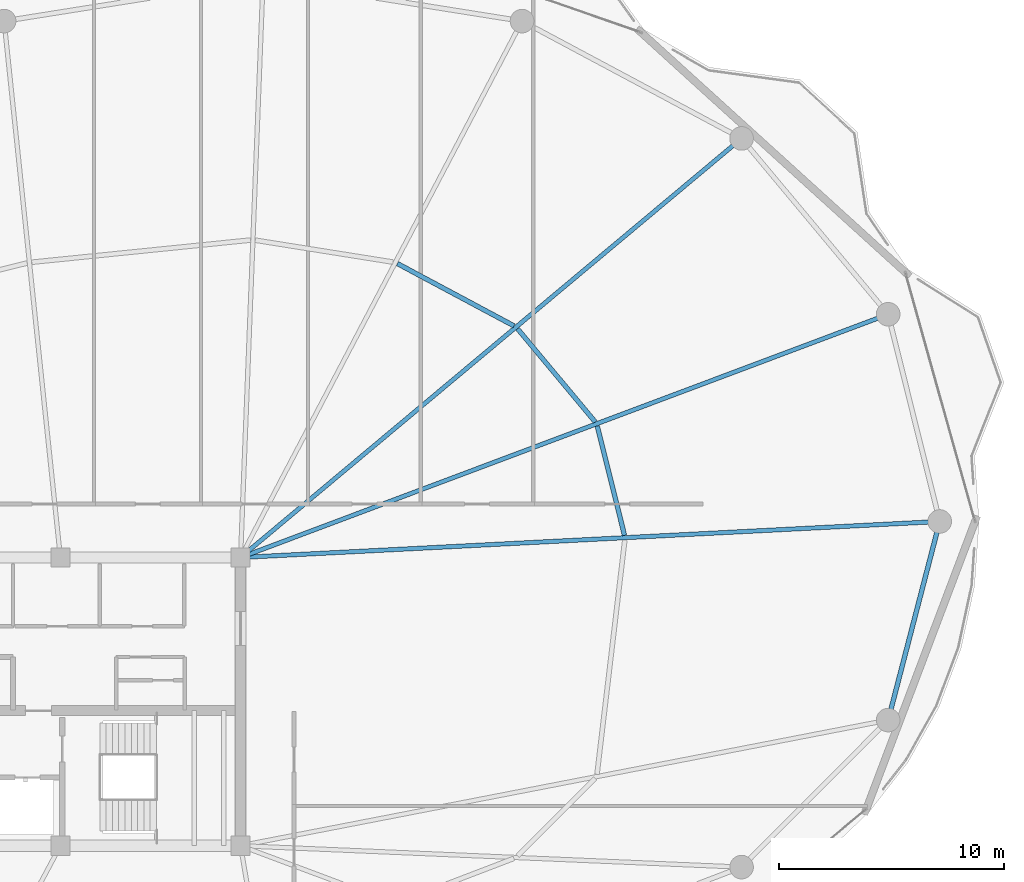
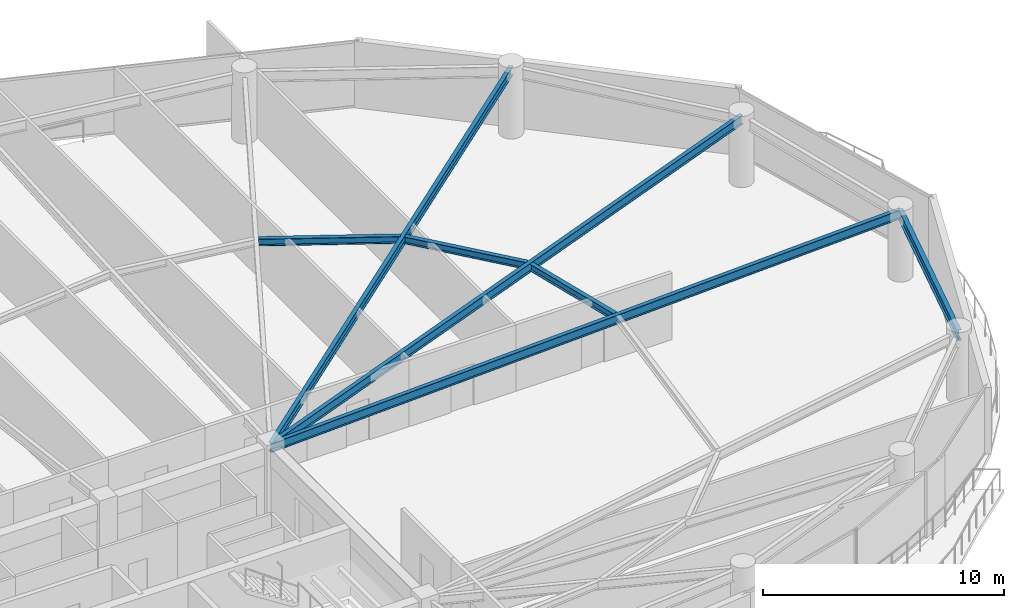
# One storey, part 14 of 28: 7 beams.
"""IFC4 building model written with IfcOpenShell, lengths in metres."""

from ifc_helpers import new_model, si_unit, direction, frame, origin, origin_2d, place, context, subcontext, project, spatial, i_section, extrude, material, material_profile, profile_set, type_object, element, save


model = new_model("IFC4")

# Units and contexts
model_context = context("Model", 3, precision=1e-05, world=origin(), true_north=direction((0.0, 1.0)))
body_context = subcontext(model_context, "Body", "Model", "MODEL_VIEW")
ifc_project = project(units=[si_unit("LENGTHUNIT", "METRE"), si_unit("AREAUNIT", "SQUARE_METRE"), si_unit("VOLUMEUNIT", "CUBIC_METRE"), si_unit("PLANEANGLEUNIT", "RADIAN"), si_unit("MASSUNIT", "GRAM", prefix="KILO")], contexts=[model_context])

# Site, building, storey
site_placement = place(None, origin())
site = spatial("IfcSite", under=ifc_project, at=site_placement, CompositionType="ELEMENT")
building_placement = place(site_placement, origin())
building = spatial("IfcBuilding", under=site, at=building_placement, Name="Kazevale Care Tower and Concert Hall", CompositionType="ELEMENT")
storey_placement = place(building_placement, frame((0.0, 0.0, 246.0)))
storey = spatial("IfcBuildingStorey", under=building, at=storey_placement, Name="L65", CompositionType="ELEMENT", Elevation=246.0)

# Beams
ifc_material = material(Name="Steel ASTM A572 Gr 50", Category="steel")
ifc_material_profile_1 = material_profile(ifc_material, i_section(OverallWidth=0.19091796875, OverallDepth=0.4599609375, WebThickness=0.010009765625, FlangeThickness=0.01611328125, at=origin_2d()), Name="W460x82")
ifc_profile_set_1 = profile_set([ifc_material_profile_1], Name="Steel ASTM A572 Gr 50")
beam_type_1 = type_object("IfcBeamType", Name="Radial Floor Beam W460x82", PredefinedType="BEAM", material=ifc_profile_set_1)
beam_1_placement = place(storey_placement, frame((44.0, 36.39990234375, 3.1298828125), z_axis=(0.998674821251, 0.051464564506, 0.0), x_axis=(-0.051464564506, 0.998674821251, 0.0)))
element("IfcBeam", 1, at=beam_1_placement, inside=storey, type_object=beam_type_1, Name="beam:L65:rad:01", PredefinedType="BEAM", context=body_context, shape_type="SweptSolid", body=[
    extrude(i_section(OverallWidth=0.19091796875, OverallDepth=0.4599609375, WebThickness=0.010009765625, FlangeThickness=0.01611328125, at=origin_2d()), origin(), (0.0, 0.0, 1.0), 31.09130859375),
])
beam_2_placement = place(storey_placement, frame((44.0, 36.39990234375, 3.1298828125), z_axis=(0.936168070124, 0.351552762015, 0.0), x_axis=(-0.351552762015, 0.936168070124, 0.0)))
element("IfcBeam", 2, at=beam_2_placement, inside=storey, type_object=beam_type_1, Name="beam:L65:rad:02", PredefinedType="BEAM", context=body_context, shape_type="SweptSolid", body=[
    extrude(i_section(OverallWidth=0.19091796875, OverallDepth=0.4599609375, WebThickness=0.010009765625, FlangeThickness=0.01611328125, at=origin_2d()), origin(), (0.0, 0.0, 1.0), 30.720947265625),
])
beam_3_placement = place(storey_placement, frame((44.0, 36.39990234375, 3.1298828125), z_axis=(0.767059624015, 0.64157582031, 0.0), x_axis=(-0.64157582031, 0.767059624015, 0.0)))
element("IfcBeam", 3, at=beam_3_placement, inside=storey, type_object=beam_type_1, Name="beam:L65:rad:03", PredefinedType="BEAM", context=body_context, shape_type="SweptSolid", body=[
    extrude(i_section(OverallWidth=0.19091796875, OverallDepth=0.4599609375, WebThickness=0.010009765625, FlangeThickness=0.01611328125, at=origin_2d()), origin(), (0.0, 0.0, 1.0), 29.0068359375),
])
ifc_material_profile_2 = material_profile(ifc_material, i_section(OverallWidth=0.205078125, OverallDepth=0.35400390625, WebThickness=0.009521484375, FlangeThickness=0.016845703125, at=origin_2d()), Name="W360x79")
ifc_profile_set_2 = profile_set([ifc_material_profile_2], Name="Steel ASTM A572 Gr 50")
beam_type_2 = type_object("IfcBeamType", Name="Secondary Floor Joist W360x79", PredefinedType="JOIST", material=ifc_profile_set_2)
beam_4_placement = place(storey_placement, frame((61.052001953125, 37.382080078125, 3.18310546875), z_axis=(-0.241594204931, 0.970377369967, 0.0), x_axis=(-0.970377369967, -0.241594204931, 0.0)))
element("IfcBeam", 4, at=beam_4_placement, inside=storey, type_object=beam_type_2, Name="beam:L65:joist:01", PredefinedType="JOIST", context=body_context, shape_type="SweptSolid", body=[
    extrude(i_section(OverallWidth=0.205078125, OverallDepth=0.35400390625, WebThickness=0.009521484375, FlangeThickness=0.016845703125, at=origin_2d()), origin(), (0.0, 0.0, 1.0), 5.004150390625),
])
beam_5_placement = place(storey_placement, frame((59.7509765625, 42.4208984375, 3.18310546875), z_axis=(-0.640295940788, 0.768128314939, 0.0), x_axis=(-0.768128314939, -0.640295940788, 0.0)))
element("IfcBeam", 5, at=beam_5_placement, inside=storey, type_object=beam_type_2, Name="beam:L65:joist:02", PredefinedType="JOIST", context=body_context, shape_type="SweptSolid", body=[
    extrude(i_section(OverallWidth=0.205078125, OverallDepth=0.35400390625, WebThickness=0.009521484375, FlangeThickness=0.016845703125, at=origin_2d()), origin(), (0.0, 0.0, 1.0), 5.3818359375),
])
beam_6_placement = place(storey_placement, frame((56.14501953125, 46.68505859375, 3.18310546875), z_axis=(-0.881943890935, 0.471354403016, 0.0), x_axis=(-0.471354403016, -0.881943890935, 0.0)))
element("IfcBeam", 6, at=beam_6_placement, inside=storey, type_object=beam_type_2, Name="beam:L65:joist:03", PredefinedType="JOIST", context=body_context, shape_type="SweptSolid", body=[
    extrude(i_section(OverallWidth=0.205078125, OverallDepth=0.35400390625, WebThickness=0.009521484375, FlangeThickness=0.016845703125, at=origin_2d()), origin(), (0.0, 0.0, 1.0), 5.869873046875),
])
ifc_material_profile_3 = material_profile(ifc_material, i_section(OverallWidth=0.208984375, OverallDepth=0.532958984375, WebThickness=0.01025390625, FlangeThickness=0.015625, at=origin_2d()), Name="W530x92")
ifc_profile_set_3 = profile_set([ifc_material_profile_3], Name="Steel ASTM A572 Gr 50")
beam_type_3 = type_object("IfcBeamType", Name="Upper Ring Beam W530x92", PredefinedType="BEAM", material=ifc_profile_set_3)
beam_7_placement = place(storey_placement, frame((72.760009765625, 29.179931640625, 3.093505859375), z_axis=(0.251307095899, 0.96790740443, 0.0), x_axis=(-0.96790740443, 0.251307095899, 0.0)))
element("IfcBeam", 7, at=beam_7_placement, inside=storey, type_object=beam_type_3, Name="beam:L65:ring:16", PredefinedType="BEAM", context=body_context, shape_type="SweptSolid", body=[
    extrude(i_section(OverallWidth=0.208984375, OverallDepth=0.532958984375, WebThickness=0.01025390625, FlangeThickness=0.015625, at=origin_2d()), origin(), (0.0, 0.0, 1.0), 9.112548828125),
])

save(model, "model.ifc")
